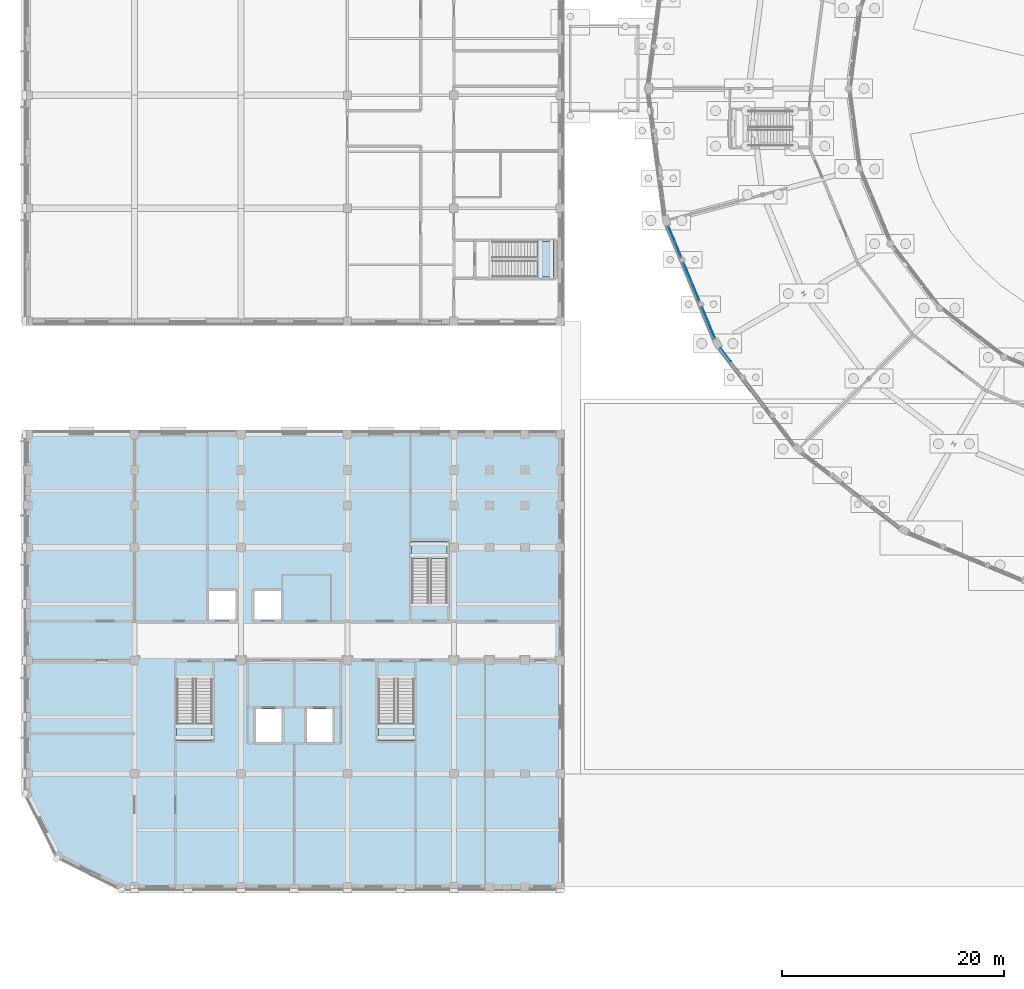
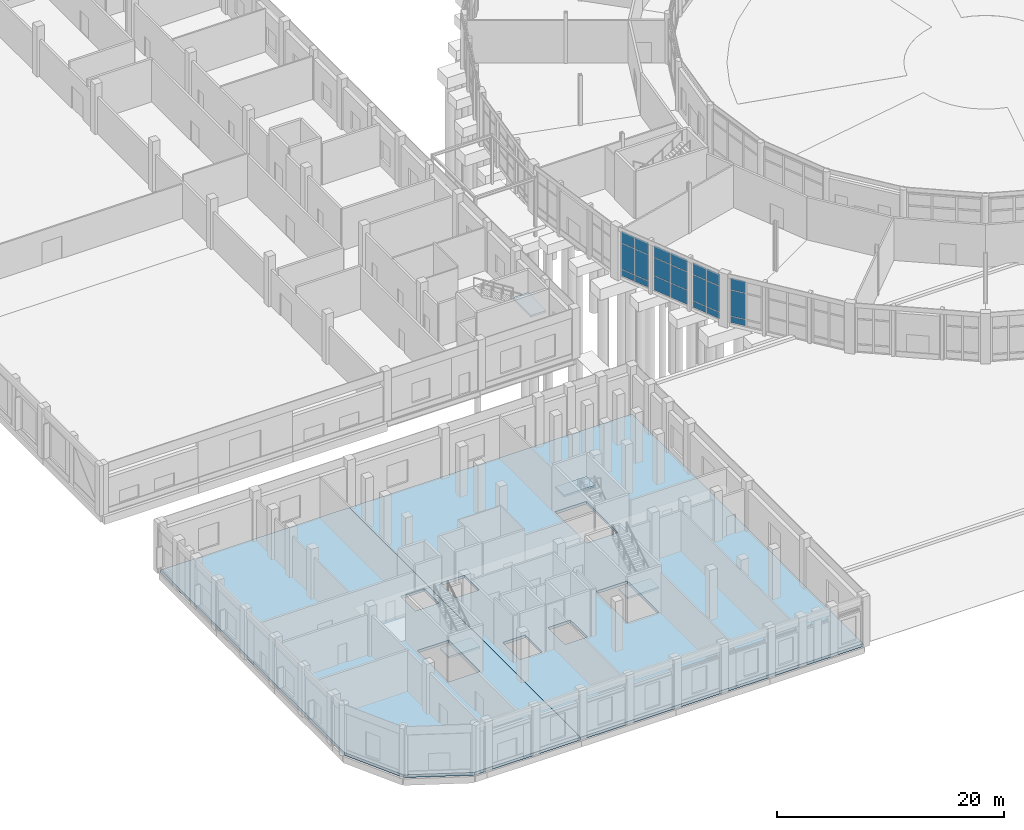
# One storey, part 85 of 137: 21 plates, 6 slabs, 8 elements without a shape of their own.
"""IFC4 building model written with IfcOpenShell, lengths in metres."""

from ifc_helpers import new_model, si_unit, direction, frame, origin, origin_2d, place, context, subcontext, project, spatial, polyline, rectangle, outline, extrude, material, layer, layer_set, type_object, element, aggregate, save


model = new_model("IFC4")

# Units and contexts
model_context = context("Model", 3, precision=1e-05, world=origin(), true_north=direction((0.0, 1.0)))
body_context = subcontext(model_context, "Body", "Model", "MODEL_VIEW")
ifc_project = project(units=[si_unit("LENGTHUNIT", "METRE"), si_unit("AREAUNIT", "SQUARE_METRE"), si_unit("VOLUMEUNIT", "CUBIC_METRE"), si_unit("PLANEANGLEUNIT", "RADIAN"), si_unit("MASSUNIT", "GRAM", prefix="KILO")], contexts=[model_context])

# Site, building, storey
site_placement = place(None, origin())
site = spatial("IfcSite", under=ifc_project, at=site_placement, CompositionType="ELEMENT")
building_placement = place(site_placement, origin())
building = spatial("IfcBuilding", under=site, at=building_placement, Name="Vondelvale Polytechnic", CompositionType="ELEMENT")
storey_placement = place(building_placement, origin())
storey = spatial("IfcBuildingStorey", under=building, at=storey_placement, Name="L00", CompositionType="ELEMENT", Elevation=0.0)

# Curtain wall, plates
ifc_material_1 = material(Name="Glulam GL18 structural Tasmanian oak (fb = 42 MPa)", Category="wood")
curtain_wall_type = type_object("IfcCurtainWallType", Name="CW-RING-OUTER", PredefinedType="NOTDEFINED", material=ifc_material_1)
curtain_wall_1_placement = place(storey_placement, origin())
curtain_wall_1 = element("IfcCurtainWall", 1, at=curtain_wall_1_placement, inside=storey, type_object=curtain_wall_type, Name="L00 architectural curtain wall CW-04-276", PredefinedType="NOTDEFINED")
ifc_material_2 = material(Name="Double-glazed low-E insulated architectural glass", Category="glass")
ifc_layer_1 = layer(ifc_material_2, 0.028076171875)
ifc_layer_set_1 = layer_set([ifc_layer_1], Name="CW-PANEL-GLAZED")
plate_type_1 = type_object("IfcPlateType", Name="CW-PANEL-GLAZED", PredefinedType="CURTAIN_PANEL", material=ifc_layer_set_1)
plate_1_placement = place(storey_placement, frame((58.0556640625, 58.915283203125, 0.77978515625), z_axis=(0.0, 0.0, 1.0), x_axis=(0.382679040691, -0.92388135159, 0.0)))
plate_1 = element("IfcPlate", 2, at=plate_1_placement, type_object=plate_type_1, Name="CW-04-276 panel 1.2", PredefinedType="CURTAIN_PANEL", context=body_context, shape_type="SweptSolid", body=[
    extrude(rectangle(XDim=1.454345703125, YDim=0.028076171875, at=origin_2d()), origin(), (0.0, 0.0, 1.0), 2.760009765625),
])
plate_2_placement = place(storey_placement, frame((58.0556640625, 58.915283203125, 3.60009765625), z_axis=(0.0, 0.0, 1.0), x_axis=(0.382679040691, -0.92388135159, 0.0)))
plate_2 = element("IfcPlate", 3, at=plate_2_placement, type_object=plate_type_1, Name="CW-04-276 panel 1.3", PredefinedType="CURTAIN_PANEL", context=body_context, shape_type="SweptSolid", body=[
    extrude(rectangle(XDim=1.454345703125, YDim=0.028076171875, at=origin_2d()), origin(), (0.0, 0.0, 1.0), 1.260009765625),
])
plate_3_placement = place(storey_placement, frame((58.63720703125, 57.511474609375, 0.77978515625), z_axis=(0.0, 0.0, 1.0), x_axis=(0.382679040691, -0.92388135159, 0.0)))
plate_3 = element("IfcPlate", 4, at=plate_3_placement, type_object=plate_type_1, Name="CW-04-276 panel 2.2", PredefinedType="CURTAIN_PANEL", context=body_context, shape_type="SweptSolid", body=[
    extrude(rectangle(XDim=1.454345703125, YDim=0.028076171875, at=origin_2d()), origin(), (0.0, 0.0, 1.0), 2.760009765625),
])
plate_4_placement = place(storey_placement, frame((58.63720703125, 57.511474609375, 3.60009765625), z_axis=(0.0, 0.0, 1.0), x_axis=(0.382679040691, -0.92388135159, 0.0)))
plate_4 = element("IfcPlate", 5, at=plate_4_placement, type_object=plate_type_1, Name="CW-04-276 panel 2.3", PredefinedType="CURTAIN_PANEL", context=body_context, shape_type="SweptSolid", body=[
    extrude(rectangle(XDim=1.454345703125, YDim=0.028076171875, at=origin_2d()), origin(), (0.0, 0.0, 1.0), 1.260009765625),
])

curtain_wall_2_placement = place(storey_placement, origin())
curtain_wall_2 = element("IfcCurtainWall", 6, at=curtain_wall_2_placement, inside=storey, type_object=curtain_wall_type, Name="L00 architectural curtain wall CW-04-277", PredefinedType="NOTDEFINED")
plate_5_placement = place(storey_placement, frame((59.506591796875, 55.412841796875, 1.6298828125), z_axis=(0.0, 0.0, 1.0), x_axis=(0.382694599123, -0.92387490701, 0.0)))
plate_5 = element("IfcPlate", 7, at=plate_5_placement, type_object=plate_type_1, Name="CW-04-277 panel 1.2", PredefinedType="CURTAIN_PANEL", context=body_context, shape_type="SweptSolid", body=[
    extrude(rectangle(XDim=1.80908203125, YDim=0.028076171875, at=origin_2d()), origin(), (0.0, 0.0, 1.0), 1.909912109375),
])
plate_6_placement = place(storey_placement, frame((59.506591796875, 55.412841796875, 3.60009765625), z_axis=(0.0, 0.0, 1.0), x_axis=(0.382694599123, -0.92387490701, 0.0)))
plate_6 = element("IfcPlate", 8, at=plate_6_placement, type_object=plate_type_1, Name="CW-04-277 panel 1.3", PredefinedType="CURTAIN_PANEL", context=body_context, shape_type="SweptSolid", body=[
    extrude(rectangle(XDim=1.80908203125, YDim=0.028076171875, at=origin_2d()), origin(), (0.0, 0.0, 1.0), 1.260009765625),
])
plate_7_placement = place(storey_placement, frame((60.2236328125, 53.681396484375, 1.6298828125), z_axis=(0.0, 0.0, 1.0), x_axis=(0.382694599123, -0.92387490701, 0.0)))
plate_7 = element("IfcPlate", 9, at=plate_7_placement, type_object=plate_type_1, Name="CW-04-277 panel 2.2", PredefinedType="CURTAIN_PANEL", context=body_context, shape_type="SweptSolid", body=[
    extrude(rectangle(XDim=1.80908203125, YDim=0.028076171875, at=origin_2d()), origin(), (0.0, 0.0, 1.0), 1.909912109375),
])
plate_8_placement = place(storey_placement, frame((60.2236328125, 53.681396484375, 3.60009765625), z_axis=(0.0, 0.0, 1.0), x_axis=(0.382694599123, -0.92387490701, 0.0)))
plate_8 = element("IfcPlate", 10, at=plate_8_placement, type_object=plate_type_1, Name="CW-04-277 panel 2.3", PredefinedType="CURTAIN_PANEL", context=body_context, shape_type="SweptSolid", body=[
    extrude(rectangle(XDim=1.80908203125, YDim=0.028076171875, at=origin_2d()), origin(), (0.0, 0.0, 1.0), 1.260009765625),
])

curtain_wall_3_placement = place(storey_placement, origin())
curtain_wall_3 = element("IfcCurtainWall", 11, at=curtain_wall_3_placement, inside=storey, type_object=curtain_wall_type, Name="L00 architectural curtain wall CW-04-278", PredefinedType="NOTDEFINED")
plate_9_placement = place(storey_placement, frame((61.093017578125, 51.582763671875, 0.77978515625), z_axis=(0.0, 0.0, 1.0), x_axis=(0.382679040691, -0.92388135159, 0.0)))
plate_9 = element("IfcPlate", 12, at=plate_9_placement, type_object=plate_type_1, Name="CW-04-278 panel 1.2", PredefinedType="CURTAIN_PANEL", context=body_context, shape_type="SweptSolid", body=[
    extrude(rectangle(XDim=1.454345703125, YDim=0.028076171875, at=origin_2d()), origin(), (0.0, 0.0, 1.0), 2.760009765625),
])
plate_10_placement = place(storey_placement, frame((61.093017578125, 51.582763671875, 3.60009765625), z_axis=(0.0, 0.0, 1.0), x_axis=(0.382679040691, -0.92388135159, 0.0)))
plate_10 = element("IfcPlate", 13, at=plate_10_placement, type_object=plate_type_1, Name="CW-04-278 panel 1.3", PredefinedType="CURTAIN_PANEL", context=body_context, shape_type="SweptSolid", body=[
    extrude(rectangle(XDim=1.454345703125, YDim=0.028076171875, at=origin_2d()), origin(), (0.0, 0.0, 1.0), 1.260009765625),
])
plate_11_placement = place(storey_placement, frame((61.674560546875, 50.178955078125, 0.77978515625), z_axis=(0.0, 0.0, 1.0), x_axis=(0.382679040691, -0.92388135159, 0.0)))
plate_11 = element("IfcPlate", 14, at=plate_11_placement, type_object=plate_type_1, Name="CW-04-278 panel 2.2", PredefinedType="CURTAIN_PANEL", context=body_context, shape_type="SweptSolid", body=[
    extrude(rectangle(XDim=1.454345703125, YDim=0.028076171875, at=origin_2d()), origin(), (0.0, 0.0, 1.0), 2.760009765625),
])
plate_12_placement = place(storey_placement, frame((61.674560546875, 50.178955078125, 3.60009765625), z_axis=(0.0, 0.0, 1.0), x_axis=(0.382679040691, -0.92388135159, 0.0)))
plate_12 = element("IfcPlate", 15, at=plate_12_placement, type_object=plate_type_1, Name="CW-04-278 panel 2.3", PredefinedType="CURTAIN_PANEL", context=body_context, shape_type="SweptSolid", body=[
    extrude(rectangle(XDim=1.454345703125, YDim=0.028076171875, at=origin_2d()), origin(), (0.0, 0.0, 1.0), 1.260009765625),
])

curtain_wall_4_placement = place(storey_placement, origin())
curtain_wall_4 = element("IfcCurtainWall", 16, at=curtain_wall_4_placement, inside=storey, type_object=curtain_wall_type, Name="L00 architectural curtain wall CW-04-295", PredefinedType="NOTDEFINED")
plate_13_placement = place(storey_placement, frame((62.939697265625, 47.987548828125, 0.77978515625), z_axis=(0.0, 0.0, 1.0), x_axis=(0.608763610584, -0.793351666305, 0.0)))
plate_13 = element("IfcPlate", 17, at=plate_13_placement, type_object=plate_type_1, Name="CW-04-295 panel 1.2", PredefinedType="CURTAIN_PANEL", context=body_context, shape_type="SweptSolid", body=[
    extrude(rectangle(XDim=1.454345703125, YDim=0.028076171875, at=origin_2d()), origin(), (0.0, 0.0, 1.0), 2.760009765625),
])
plate_14_placement = place(storey_placement, frame((62.939697265625, 47.987548828125, 3.60009765625), z_axis=(0.0, 0.0, 1.0), x_axis=(0.608763610584, -0.793351666305, 0.0)))
plate_14 = element("IfcPlate", 18, at=plate_14_placement, type_object=plate_type_1, Name="CW-04-295 panel 1.3", PredefinedType="CURTAIN_PANEL", context=body_context, shape_type="SweptSolid", body=[
    extrude(rectangle(XDim=1.454345703125, YDim=0.028076171875, at=origin_2d()), origin(), (0.0, 0.0, 1.0), 1.260009765625),
])

# Plate
ifc_material_3 = material(Name="Engineered Tasmanian oak studio and bridge joinery")
ifc_layer_2 = layer(ifc_material_3, 0.0419921875)
ifc_layer_set_2 = layer_set([ifc_layer_2], Name="CW-PANEL-OAK")
plate_type_2 = type_object("IfcPlateType", Name="CW-PANEL-OAK", PredefinedType="CURTAIN_PANEL", material=ifc_layer_set_2)
plate_15_placement = place(storey_placement, frame((59.506591796875, 55.412841796875, 0.06005859375), z_axis=(0.0, 0.0, 1.0), x_axis=(0.382694599123, -0.92387490701, 0.0)))
plate_15 = element("IfcPlate", 19, at=plate_15_placement, type_object=plate_type_2, Name="CW-04-277 panel 1.1", PredefinedType="CURTAIN_PANEL", context=body_context, shape_type="SweptSolid", body=[
    extrude(rectangle(XDim=1.80908203125, YDim=0.0419921875, at=origin_2d()), origin(), (0.0, 0.0, 1.0), 1.510009765625),
])

plate_16_placement = place(storey_placement, frame((60.2236328125, 53.681396484375, 0.06005859375), z_axis=(0.0, 0.0, 1.0), x_axis=(0.382694599123, -0.92387490701, 0.0)))
plate_16 = element("IfcPlate", 20, at=plate_16_placement, type_object=plate_type_2, Name="CW-04-277 panel 2.1", PredefinedType="CURTAIN_PANEL", context=body_context, shape_type="SweptSolid", body=[
    extrude(rectangle(XDim=1.80908203125, YDim=0.0419921875, at=origin_2d()), origin(), (0.0, 0.0, 1.0), 1.510009765625),
])

aggregate(curtain_wall_2, [plate_15, plate_5, plate_6, plate_16, plate_7, plate_8])

ifc_material_4 = material(Name="Kiln-fired architectural terracotta", Category="masonry")
ifc_layer_3 = layer(ifc_material_4, 0.035888671875)
ifc_layer_set_3 = layer_set([ifc_layer_3], Name="CW-PANEL-SPANDREL")
plate_type_3 = type_object("IfcPlateType", Name="CW-PANEL-SPANDREL", PredefinedType="CURTAIN_PANEL", material=ifc_layer_set_3)
plate_17_placement = place(storey_placement, frame((58.0556640625, 58.915283203125, 0.06005859375), z_axis=(0.0, 0.0, 1.0), x_axis=(0.382679040691, -0.92388135159, 0.0)))
plate_17 = element("IfcPlate", 21, at=plate_17_placement, type_object=plate_type_3, Name="CW-04-276 panel 1.1", PredefinedType="CURTAIN_PANEL", context=body_context, shape_type="SweptSolid", body=[
    extrude(rectangle(XDim=1.454345703125, YDim=0.035888671875, at=origin_2d()), origin(), (0.0, 0.0, 1.0), 0.659912109375),
])

plate_18_placement = place(storey_placement, frame((58.63720703125, 57.511474609375, 0.06005859375), z_axis=(0.0, 0.0, 1.0), x_axis=(0.382679040691, -0.92388135159, 0.0)))
plate_18 = element("IfcPlate", 22, at=plate_18_placement, type_object=plate_type_3, Name="CW-04-276 panel 2.1", PredefinedType="CURTAIN_PANEL", context=body_context, shape_type="SweptSolid", body=[
    extrude(rectangle(XDim=1.454345703125, YDim=0.035888671875, at=origin_2d()), origin(), (0.0, 0.0, 1.0), 0.659912109375),
])

aggregate(curtain_wall_1, [plate_17, plate_1, plate_2, plate_18, plate_3, plate_4])

plate_19_placement = place(storey_placement, frame((61.093017578125, 51.582763671875, 0.06005859375), z_axis=(0.0, 0.0, 1.0), x_axis=(0.382679040691, -0.92388135159, 0.0)))
plate_19 = element("IfcPlate", 23, at=plate_19_placement, type_object=plate_type_3, Name="CW-04-278 panel 1.1", PredefinedType="CURTAIN_PANEL", context=body_context, shape_type="SweptSolid", body=[
    extrude(rectangle(XDim=1.454345703125, YDim=0.035888671875, at=origin_2d()), origin(), (0.0, 0.0, 1.0), 0.659912109375),
])

plate_20_placement = place(storey_placement, frame((61.674560546875, 50.178955078125, 0.06005859375), z_axis=(0.0, 0.0, 1.0), x_axis=(0.382679040691, -0.92388135159, 0.0)))
plate_20 = element("IfcPlate", 24, at=plate_20_placement, type_object=plate_type_3, Name="CW-04-278 panel 2.1", PredefinedType="CURTAIN_PANEL", context=body_context, shape_type="SweptSolid", body=[
    extrude(rectangle(XDim=1.454345703125, YDim=0.035888671875, at=origin_2d()), origin(), (0.0, 0.0, 1.0), 0.659912109375),
])

aggregate(curtain_wall_3, [plate_19, plate_9, plate_10, plate_20, plate_11, plate_12])

plate_21_placement = place(storey_placement, frame((62.939697265625, 47.987548828125, 0.06005859375), z_axis=(0.0, 0.0, 1.0), x_axis=(0.608763610584, -0.793351666305, 0.0)))
plate_21 = element("IfcPlate", 25, at=plate_21_placement, type_object=plate_type_3, Name="CW-04-295 panel 1.1", PredefinedType="CURTAIN_PANEL", context=body_context, shape_type="SweptSolid", body=[
    extrude(rectangle(XDim=1.454345703125, YDim=0.035888671875, at=origin_2d()), origin(), (0.0, 0.0, 1.0), 0.659912109375),
])

aggregate(curtain_wall_4, [plate_21, plate_13, plate_14])

# Stair, slab
ifc_material_5 = material(Name="Concrete N40 (f'c = 40 MPa)", Category="concrete")
stair_type = type_object("IfcStairType", Name="STR-DOG-1500", PredefinedType="HALF_TURN_STAIR", material=ifc_material_5)
stair_1_placement = place(storey_placement, origin())
stair_1 = element("IfcStair", 26, at=stair_1_placement, inside=storey, type_object=stair_type, Name="L00 ST-01", PredefinedType="HALF_TURN_STAIR")
ifc_layer_4 = layer(ifc_material_5, 0.199951171875)
ifc_layer_set_4 = layer_set([ifc_layer_4], Name="SLB-LANDING-200")
slab_type_1 = type_object("IfcSlabType", Name="SLB-LANDING-200", PredefinedType="LANDING", material=ifc_layer_set_4)
slab_1_placement = place(storey_placement, frame((0.0, 0.0, 2.5)))
slab_1 = element("IfcSlab", 27, at=slab_1_placement, type_object=slab_type_1, Name="ST-01 landing 1", PredefinedType="LANDING", context=body_context, shape_type="SweptSolid", body=[
    extrude(outline(polyline([(45.889892578125, 55.0), (47.449951171875, 55.0), (47.449951171875, 58.199951171875), (45.889892578125, 58.199951171875), (45.889892578125, 55.0)])), origin(), (0.0, 0.0, 1.0), 0.199951171875),
])
aggregate(stair_1, [slab_1])

stair_2_placement = place(storey_placement, origin())
stair_2 = element("IfcStair", 28, at=stair_2_placement, inside=storey, type_object=stair_type, Name="L00 ST-03", PredefinedType="HALF_TURN_STAIR")
slab_2_placement = place(storey_placement, frame((0.0, 0.0, 2.5)))
slab_2 = element("IfcSlab", 29, at=slab_2_placement, type_object=slab_type_1, Name="ST-03 landing 1", PredefinedType="LANDING", context=body_context, shape_type="SweptSolid", body=[
    extrude(outline(polyline([(13.39990234375, 14.760009765625), (13.39990234375, 13.199951171875), (16.60009765625, 13.199951171875), (16.60009765625, 14.760009765625), (13.39990234375, 14.760009765625)])), origin(), (0.0, 0.0, 1.0), 0.199951171875),
])
aggregate(stair_2, [slab_2])

stair_3_placement = place(storey_placement, origin())
stair_3 = element("IfcStair", 30, at=stair_3_placement, inside=storey, type_object=stair_type, Name="L00 ST-04", PredefinedType="HALF_TURN_STAIR")
slab_3_placement = place(storey_placement, frame((0.0, 0.0, 2.5)))
slab_3 = element("IfcSlab", 31, at=slab_3_placement, type_object=slab_type_1, Name="ST-04 landing 1", PredefinedType="LANDING", context=body_context, shape_type="SweptSolid", body=[
    extrude(outline(polyline([(31.60009765625, 14.760009765625), (31.60009765625, 13.199951171875), (34.800048828125, 13.199951171875), (34.800048828125, 14.760009765625), (31.60009765625, 14.760009765625)])), origin(), (0.0, 0.0, 1.0), 0.199951171875),
])
aggregate(stair_3, [slab_3])

stair_4_placement = place(storey_placement, origin())
stair_4 = element("IfcStair", 32, at=stair_4_placement, inside=storey, type_object=stair_type, Name="L00 ST-05", PredefinedType="HALF_TURN_STAIR")
slab_4_placement = place(storey_placement, frame((0.0, 0.0, 2.5)))
slab_4 = element("IfcSlab", 33, at=slab_4_placement, type_object=slab_type_1, Name="ST-05 landing 1", PredefinedType="LANDING", context=body_context, shape_type="SweptSolid", body=[
    extrude(outline(polyline([(37.800048828125, 29.590087890625), (37.800048828125, 31.14990234375), (34.60009765625, 31.14990234375), (34.60009765625, 29.590087890625), (37.800048828125, 29.590087890625)])), origin(), (0.0, 0.0, 1.0), 0.199951171875),
])
aggregate(stair_4, [slab_4])

# Slabs
ifc_layer_5 = layer(ifc_material_5, 0.280029296875)
ifc_layer_set_5 = layer_set([ifc_layer_5], Name="SLB-LIBRARY-280")
slab_type_2 = type_object("IfcSlabType", Name="SLB-LIBRARY-280", PredefinedType="FLOOR", material=ifc_layer_set_5)
slab_5_placement = place(storey_placement, frame((0.0, 0.0, -0.300048828125)))
element("IfcSlab", 34, at=slab_5_placement, inside=storey, type_object=slab_type_2, Name="L00 corner wing West slab", PredefinedType="FLOOR", context=body_context, shape_type="SweptSolid", body=[
    extrude(outline(polyline([(8.39990234375, 0.0), (19.199951171875, 0.0), (19.199951171875, 40.800048828125), (0.0, 40.800048828125), (0.0, 8.39990234375), (2.800048828125, 2.800048828125), (8.39990234375, 0.0)]), holes=[polyline([(13.39990234375, 18.75), (13.39990234375, 13.199951171875), (16.60009765625, 13.199951171875), (16.60009765625, 18.75), (13.39990234375, 18.75)]), polyline([(16.300048828125, 24.10009765625), (18.699951171875, 24.10009765625), (18.699951171875, 26.699951171875), (16.300048828125, 26.699951171875), (16.300048828125, 24.10009765625)])]), origin(), (0.0, 0.0, 1.0), 0.300048828125),
])
slab_6_placement = place(storey_placement, frame((0.0, 0.0, -0.300048828125)))
element("IfcSlab", 35, at=slab_6_placement, inside=storey, type_object=slab_type_2, Name="L00 corner wing East slab", PredefinedType="FLOOR", context=body_context, shape_type="SweptSolid", body=[
    extrude(outline(polyline([(19.199951171875, 0.0), (48.0, 0.0), (48.0, 40.800048828125), (19.199951171875, 40.800048828125), (19.199951171875, 0.0)]), holes=[polyline([(31.60009765625, 18.75), (31.60009765625, 13.199951171875), (34.800048828125, 13.199951171875), (34.800048828125, 18.75), (31.60009765625, 18.75)]), polyline([(37.800048828125, 25.60009765625), (37.800048828125, 31.14990234375), (34.60009765625, 31.14990234375), (34.60009765625, 25.60009765625), (37.800048828125, 25.60009765625)]), polyline([(20.550048828125, 13.050048828125), (22.85009765625, 13.050048828125), (22.85009765625, 16.050048828125), (20.550048828125, 16.050048828125), (20.550048828125, 13.050048828125)]), polyline([(25.14990234375, 13.050048828125), (27.449951171875, 13.050048828125), (27.449951171875, 16.050048828125), (25.14990234375, 16.050048828125), (25.14990234375, 13.050048828125)]), polyline([(20.39990234375, 24.10009765625), (22.800048828125, 24.10009765625), (22.800048828125, 26.699951171875), (20.39990234375, 26.699951171875), (20.39990234375, 24.10009765625)])]), origin(), (0.0, 0.0, 1.0), 0.300048828125),
])

save(model, "model.ifc")
